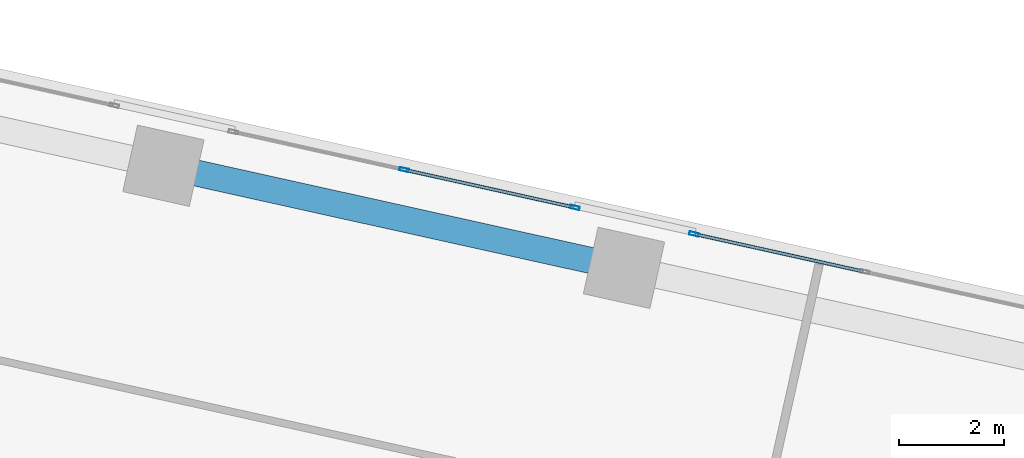
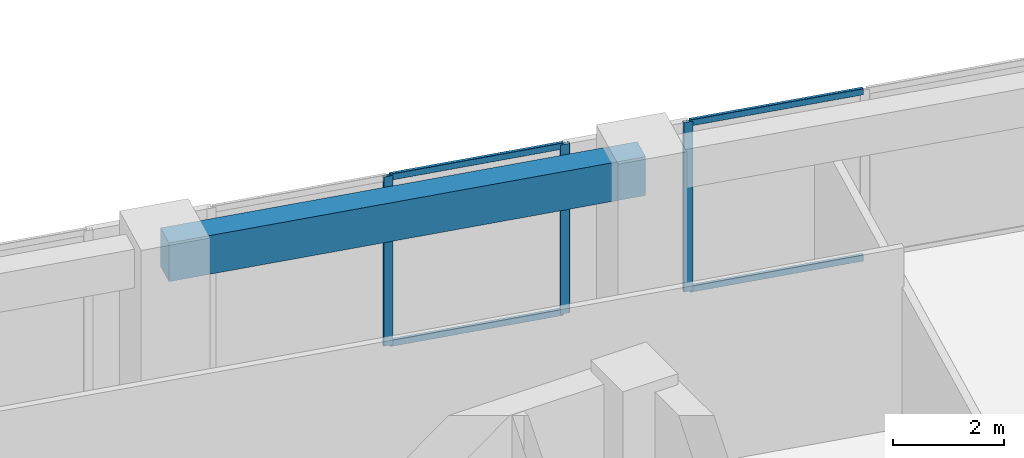
# One storey, part 17 of 25: 7 members, 1 beam, 2 elements without a shape of their own.
"""IFC4 building model written with IfcOpenShell, lengths in metres."""

from ifc_helpers import new_model, si_unit, direction, frame, origin, origin_2d, place, context, subcontext, project, spatial, rectangle, hollow_rectangle, extrude, source, transform, mapped, material, material_profile, profile_set, type_object, element, aggregate, save


model = new_model("IFC4")

# Units and contexts
model_context = context("Model", 3, precision=1e-05, world=origin(), true_north=direction((0.0, 1.0)))
body_context = subcontext(model_context, "Body", "Model", "MODEL_VIEW")
ifc_project = project(units=[si_unit("LENGTHUNIT", "METRE"), si_unit("AREAUNIT", "SQUARE_METRE"), si_unit("VOLUMEUNIT", "CUBIC_METRE"), si_unit("PLANEANGLEUNIT", "RADIAN"), si_unit("MASSUNIT", "GRAM", prefix="KILO")], contexts=[model_context])

# Site, building, storey
site_placement = place(None, origin())
site = spatial("IfcSite", under=ifc_project, at=site_placement, CompositionType="ELEMENT")
building_placement = place(site_placement, origin())
building = spatial("IfcBuilding", under=site, at=building_placement, Name="Torre Montelarca", CompositionType="ELEMENT")
storey_placement = place(building_placement, frame((0.0, 0.0, 87.39990234375)))
storey = spatial("IfcBuildingStorey", under=building, at=storey_placement, Name="L19", CompositionType="ELEMENT", Elevation=87.39990234375)

# Beam
ifc_material_1 = material(Name="Concrete C55/67", Category="concrete")
ifc_material_profile_1 = material_profile(ifc_material_1, rectangle(XDim=0.5, YDim=0.85009765625, at=origin_2d()), Name="RCB500X850", Category="concrete")
ifc_profile_set_1 = profile_set([ifc_material_profile_1], Name="Concrete C55/67")
beam_type = type_object("IfcBeamType", Name="BM-SP-RC850-EXT", PredefinedType="SPANDREL", material=ifc_profile_set_1)
shared_shape_1 = source(origin(), body_context, "Body", "SweptSolid", [
    extrude(rectangle(XDim=0.5, YDim=0.85009765625, at=origin_2d()), origin(), (0.0, 0.0, 1.0), 9.0),
])
beam_placement = place(storey_placement, frame((21.362060546875, 47.54833984375, 3.53515625), z_axis=(0.976300540537, -0.216419164001, 0.0), x_axis=(0.216419164001, 0.976300540537, 0.0)))
element("IfcBeam", 1, at=beam_placement, inside=storey, type_object=beam_type, Name="L19 Grid Girder X 18.0-27.0 at Y=47.1", PredefinedType="SPANDREL", context=body_context, shape_type="MappedRepresentation", body=[
    mapped(shared_shape_1, transform((0.0, 0.0, 0.0), scale=1.0)),
])

# Curtain wall, members
ifc_material_2 = material(Name="Insulated low-E laminated glass", Category="glass")
curtain_wall_type = type_object("IfcCurtainWallType", Name="CW-SYS-Z1", PredefinedType="USERDEFINED", material=ifc_material_2)
curtain_wall_1_placement = place(storey_placement, origin())
curtain_wall_1 = element("IfcCurtainWall", 2, at=curtain_wall_1_placement, inside=storey, type_object=curtain_wall_type, Name="L19 Curtain Wall Run CW-T3-L19-E08-B2", ObjectType="UNITISED GLAZING", PredefinedType="USERDEFINED")
ifc_material_3 = material(Name="Anodised aluminium AA 6063-T6", Category="aluminium")
ifc_material_profile_2 = material_profile(ifc_material_3, hollow_rectangle(XDim=0.06494140625, YDim=0.139892578125, WallThickness=0.00390625, InnerFilletRadius=0.00390625, OuterFilletRadius=0.008056640625, at=origin_2d()), Name="ALU65X140X4", Category="aluminium")
ifc_profile_set_2 = profile_set([ifc_material_profile_2], Name="Anodised aluminium AA 6063-T6")
member_type_1 = type_object("IfcMemberType", Name="CWT-ALU140", PredefinedType="USERDEFINED", material=ifc_profile_set_2)
shared_shape_2 = source(origin(), body_context, "Body", "SweptSolid", [
    extrude(hollow_rectangle(XDim=0.06494140625, YDim=0.139892578125, WallThickness=0.00390625, InnerFilletRadius=0.00390625, OuterFilletRadius=0.008056640625, at=origin_2d()), origin(), (0.0, 0.0, 1.0), 3.272705078125),
])
member_1_placement = place(storey_placement, frame((34.70947265625, 45.53173828125, 0.03271484375), z_axis=(-0.976301020546, 0.216416998594, 0.0), x_axis=(-0.216416998594, -0.976301020546, 0.0)))
member_1 = element("IfcMember", 3, at=member_1_placement, type_object=member_type_1, Name="CW transom 2.1", ObjectType="TRANSOM", PredefinedType="USERDEFINED", context=body_context, shape_type="MappedRepresentation", body=[
    mapped(shared_shape_2, transform((0.0, 0.0, 0.0), scale=1.0)),
])
member_2_placement = place(storey_placement, frame((34.70947265625, 45.53173828125, 3.6875), z_axis=(-0.976301020546, 0.216416998594, 0.0), x_axis=(-0.216416998594, -0.976301020546, 0.0)))
member_2 = element("IfcMember", 4, at=member_2_placement, type_object=member_type_1, Name="CW transom 2.2", ObjectType="TRANSOM", PredefinedType="USERDEFINED", context=body_context, shape_type="MappedRepresentation", body=[
    mapped(shared_shape_2, transform((0.0, 0.0, 0.0), scale=1.0)),
])

curtain_wall_2_placement = place(storey_placement, origin())
curtain_wall_2 = element("IfcCurtainWall", 5, at=curtain_wall_2_placement, inside=storey, type_object=curtain_wall_type, Name="L19 Curtain Wall Run CW-T3-L19-E08-B3", ObjectType="UNITISED GLAZING", PredefinedType="USERDEFINED")
member_3_placement = place(storey_placement, frame((29.18115234375, 46.75732421875, 0.03271484375), z_axis=(-0.976301020546, 0.216416998594, 0.0), x_axis=(-0.216416998594, -0.976301020546, 0.0)))
member_3 = element("IfcMember", 6, at=member_3_placement, type_object=member_type_1, Name="CW transom 1.1", ObjectType="TRANSOM", PredefinedType="USERDEFINED", context=body_context, shape_type="MappedRepresentation", body=[
    mapped(shared_shape_2, transform((0.0, 0.0, 0.0), scale=1.0)),
])
member_4_placement = place(storey_placement, frame((29.18115234375, 46.75732421875, 3.6875), z_axis=(-0.976301020546, 0.216416998594, 0.0), x_axis=(-0.216416998594, -0.976301020546, 0.0)))
member_4 = element("IfcMember", 7, at=member_4_placement, type_object=member_type_1, Name="CW transom 1.2", ObjectType="TRANSOM", PredefinedType="USERDEFINED", context=body_context, shape_type="MappedRepresentation", body=[
    mapped(shared_shape_2, transform((0.0, 0.0, 0.0), scale=1.0)),
])

# Member
ifc_material_profile_3 = material_profile(ifc_material_3, hollow_rectangle(XDim=0.06494140625, YDim=0.179931640625, WallThickness=0.00390625, InnerFilletRadius=0.00390625, OuterFilletRadius=0.008056640625, at=origin_2d()), Name="ALU65X180X4", Category="aluminium")
ifc_profile_set_3 = profile_set([ifc_material_profile_3], Name="Anodised aluminium AA 6063-T6")
member_type_2 = type_object("IfcMemberType", Name="CWM-ALU180", PredefinedType="MULLION", material=ifc_profile_set_3)
shared_shape_3 = source(origin(), body_context, "Body", "SweptSolid", [
    extrude(hollow_rectangle(XDim=0.06494140625, YDim=0.179931640625, WallThickness=0.00390625, InnerFilletRadius=0.00390625, OuterFilletRadius=0.008056640625, at=origin_2d()), origin(), (0.0, 0.0, 1.0), 3.72021484375),
])
member_5_placement = place(storey_placement, frame((31.482666015625, 46.2470703125, 0.0), z_axis=(0.0, 0.0, 1.0), x_axis=(-0.216437154905, -0.976296552271, 0.0)))
member_5 = element("IfcMember", 8, at=member_5_placement, type_object=member_type_2, Name="CW mullion 3", PredefinedType="MULLION", context=body_context, shape_type="MappedRepresentation", body=[
    mapped(shared_shape_3, transform((0.0, 0.0, 0.0), scale=1.0)),
])

aggregate(curtain_wall_1, [member_5, member_1, member_2])

member_6_placement = place(storey_placement, frame((29.212890625, 46.750244140625, 0.0), z_axis=(0.0, 0.0, 1.0), x_axis=(-0.216437154905, -0.976296552271, 0.0)))
member_6 = element("IfcMember", 9, at=member_6_placement, type_object=member_type_2, Name="CW mullion 1", PredefinedType="MULLION", context=body_context, shape_type="MappedRepresentation", body=[
    mapped(shared_shape_3, transform((0.0, 0.0, 0.0), scale=1.0)),
])

member_7_placement = place(storey_placement, frame((25.954345703125, 47.47265625, 0.0), z_axis=(0.0, 0.0, 1.0), x_axis=(-0.216437154905, -0.976296552271, 0.0)))
member_7 = element("IfcMember", 10, at=member_7_placement, type_object=member_type_2, Name="CW mullion 2", PredefinedType="MULLION", context=body_context, shape_type="MappedRepresentation", body=[
    mapped(shared_shape_3, transform((0.0, 0.0, 0.0), scale=1.0)),
])

aggregate(curtain_wall_2, [member_6, member_7, member_3, member_4])

save(model, "model.ifc")
